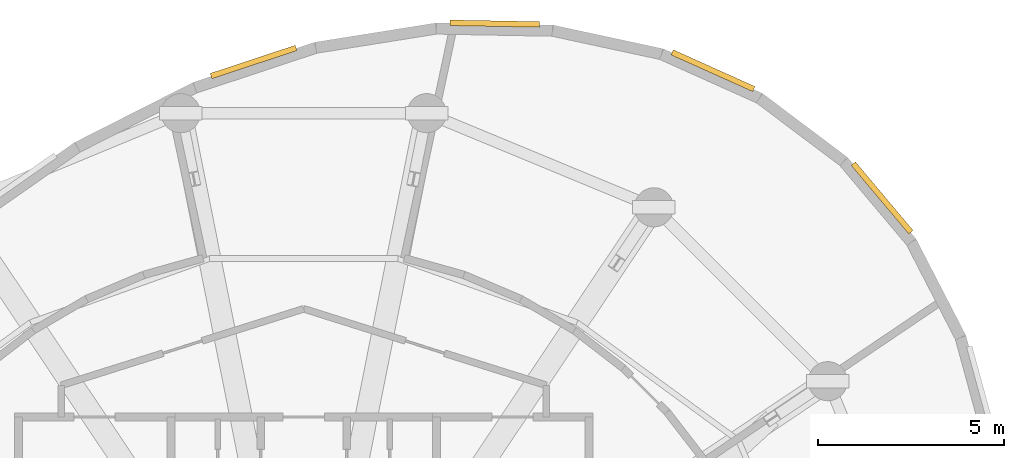
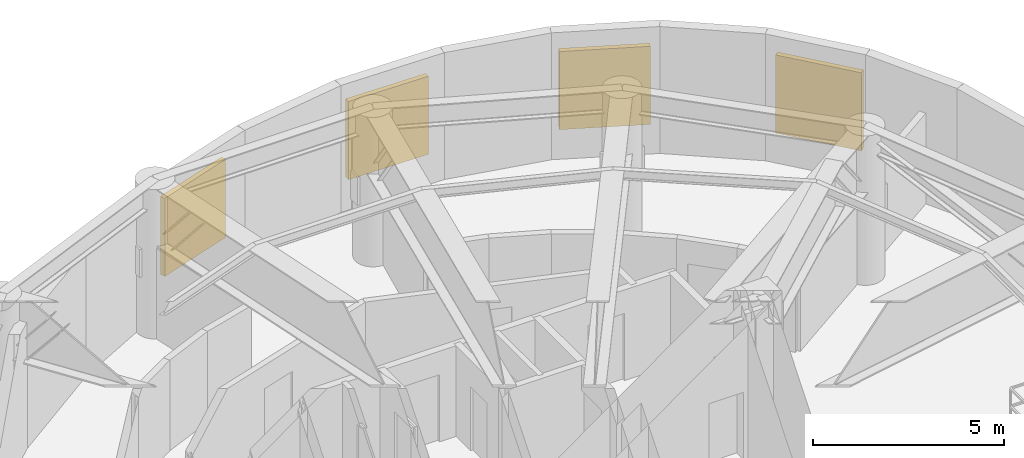
# One storey, part 7 of 7: 4 shading devices.
"""IFC4 building model written with IfcOpenShell, lengths in metres."""

from ifc_helpers import new_model, si_unit, direction, frame, origin, origin_2d, place, context, subcontext, project, spatial, rectangle, extrude, material, layer, layer_set, type_object, element, save


model = new_model("IFC4")

# Units and contexts
model_context = context("Model", 3, precision=1e-05, world=origin(), true_north=direction((0.0, 1.0)))
body_context = subcontext(model_context, "Body", "Model", "MODEL_VIEW")
ifc_project = project(units=[si_unit("LENGTHUNIT", "METRE"), si_unit("AREAUNIT", "SQUARE_METRE"), si_unit("VOLUMEUNIT", "CUBIC_METRE"), si_unit("PLANEANGLEUNIT", "RADIAN"), si_unit("MASSUNIT", "GRAM", prefix="KILO"), si_unit("THERMODYNAMICTEMPERATUREUNIT", "KELVIN"), si_unit("POWERUNIT", "WATT")], contexts=[model_context])

# Site, building, storey
site_placement = place(None, origin())
site = spatial("IfcSite", under=ifc_project, at=site_placement, CompositionType="ELEMENT")
building_placement = place(site_placement, origin())
building = spatial("IfcBuilding", under=site, at=building_placement, Name="Ocrelia Relay Tower", CompositionType="ELEMENT")
storey_placement = place(building_placement, frame((0.0, 0.0, 225.39990234375)))
storey = spatial("IfcBuildingStorey", under=building, at=storey_placement, Name="L55", CompositionType="ELEMENT", Elevation=225.39990234375)

# Shading devices
ifc_material = material(Name="Acoustic bronze-terracotta aluminium louvre", Category="masonry")
ifc_layer = layer(ifc_material, 0.14990234375, Name="Acoustic bronze-terracotta aluminium louvre")
ifc_layer_set = layer_set([ifc_layer], Name="Acoustic bronze-terracotta aluminium louvre")
shading_device_type = type_object("IfcShadingDeviceType", Name="SH-PLANT-LOUVRE", PredefinedType="JALOUSIE", material=ifc_layer_set)
for number, where, z_axis, x_axis, name in (
    (1, (44.97265625, 43.714599609375, 0.780029296875), (0.0, 0.0, 1.0), (-0.912134459455, 0.409891117096, 0.0), "L55 High-Altitude Plant Intake Louvre 02"),
    (2, (39.116943359375, 44.976806640625, 0.780029296875), (0.0, 0.0, 1.0), (-0.999827421426, 0.018577603863, 0.0), "L55 High-Altitude Plant Intake Louvre 04"),
    (3, (32.654052734375, 43.947265625, 0.780029296875), (0.0, 0.0, 1.0), (-0.949398917071, -0.314072756323, 0.0), "L55 High-Altitude Plant Intake Louvre 06"),
    (4, (49.507080078125, 40.30419921875, 0.780029296875), (0.0, 0.0, 1.0), (-0.643367380277, 0.765557583723, 0.0), "L55 High-Altitude Plant Intake Louvre 36"),
):
    element("IfcShadingDevice", number, at=place(storey_placement, frame(where, z_axis=z_axis, x_axis=x_axis)), inside=storey, type_object=shading_device_type, Name=name, PredefinedType="JALOUSIE", context=body_context, shape_type="SweptSolid", body=[
        extrude(rectangle(XDim=2.39990234375, YDim=0.14990234375, at=origin_2d()), origin(), (0.0, 0.0, 1.0), 2.5),
    ])

save(model, "model.ifc")
